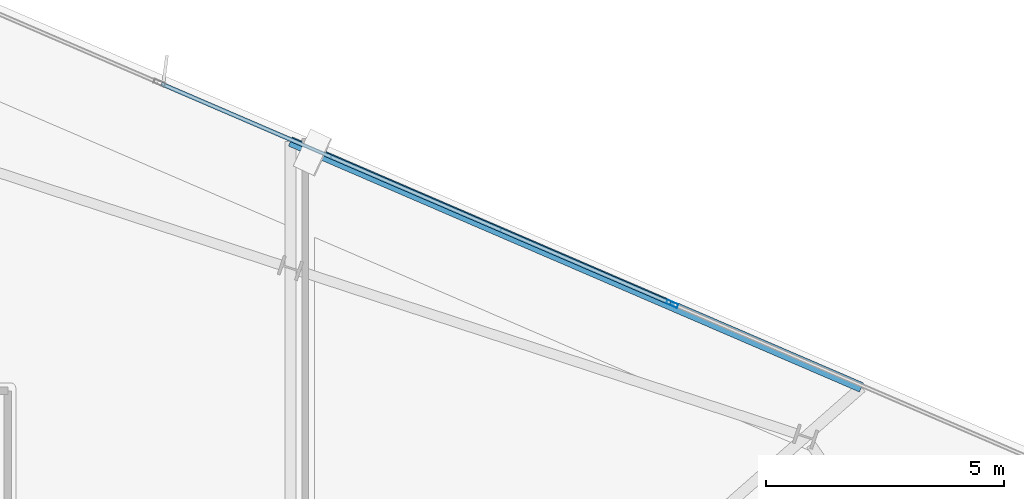
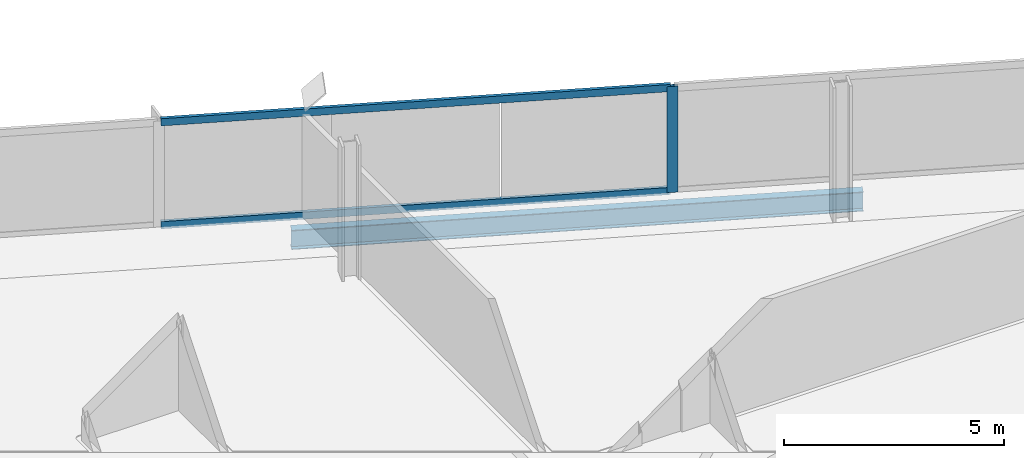
# One storey, part 18 of 28: 3 members, 1 beam, 1 element without a shape of its own.
"""IFC4 building model written with IfcOpenShell, lengths in metres."""

from ifc_helpers import new_model, si_unit, direction, frame, origin, origin_2d, place, context, subcontext, project, spatial, hollow_rectangle, i_section, extrude, material, material_profile, profile_set, type_object, element, aggregate, save


model = new_model("IFC4")

# Units and contexts
model_context = context("Model", 3, precision=1e-05, world=origin(), true_north=direction((0.0, 1.0)))
body_context = subcontext(model_context, "Body", "Model", "MODEL_VIEW")
ifc_project = project(units=[si_unit("LENGTHUNIT", "METRE"), si_unit("AREAUNIT", "SQUARE_METRE"), si_unit("VOLUMEUNIT", "CUBIC_METRE"), si_unit("PLANEANGLEUNIT", "RADIAN"), si_unit("MASSUNIT", "GRAM", prefix="KILO")], contexts=[model_context])

# Site, building, storey
site_placement = place(None, origin())
site = spatial("IfcSite", under=ifc_project, at=site_placement, CompositionType="ELEMENT")
building_placement = place(site_placement, origin())
building = spatial("IfcBuilding", under=site, at=building_placement, Name="Haldenkirk Collegiate Tower", CompositionType="ELEMENT")
storey_placement = place(building_placement, frame((0.0, 0.0, 252.449951171875)))
storey = spatial("IfcBuildingStorey", under=building, at=storey_placement, Name="L63", CompositionType="ELEMENT", Elevation=252.449951171875)

# Beam
ifc_material_1 = material(Name="Steel ASTM A992 Grade 50", Category="steel")
ifc_material_profile_1 = material_profile(ifc_material_1, i_section(OverallWidth=0.2099609375, OverallDepth=0.537109375, WebThickness=0.010986328125, FlangeThickness=0.017333984375, at=origin_2d()), Name="W21X68")
ifc_profile_set_1 = profile_set([ifc_material_profile_1], Name="Steel ASTM A992 Grade 50")
beam_type = type_object("IfcBeamType", Name="BM-SPANDREL-W21X68", PredefinedType="SPANDREL", material=ifc_profile_set_1)
beam_placement = place(storey_placement, frame((55.1943359375, 42.971923828125, -0.538330078125), z_axis=(-0.918446025146, 0.395546329642, 0.0), x_axis=(-0.395546329642, -0.918446025146, 0.0)))
element("IfcBeam", 1, at=beam_placement, inside=storey, type_object=beam_type, Name="L63 outer facade edge beam 2", PredefinedType="SPANDREL", context=body_context, shape_type="SweptSolid", body=[
    extrude(i_section(OverallWidth=0.2099609375, OverallDepth=0.537109375, WebThickness=0.010986328125, FlangeThickness=0.017333984375, at=origin_2d()), origin(), (0.0, 0.0, 1.0), 13.0703125),
])

# Curtain wall, members
ifc_material_2 = material(Name="Anodised architectural bronze aluminium", Category="aluminium")
curtain_wall_type = type_object("IfcCurtainWallType", Name="CW-SYS1B-CONVEX-HI", PredefinedType="USERDEFINED", material=ifc_material_2)
curtain_wall_placement = place(storey_placement, origin())
curtain_wall = element("IfcCurtainWall", 2, at=curtain_wall_placement, inside=storey, type_object=curtain_wall_type, Name="L63 Upper tower high-wind convex bronze unitised curtain wall", ObjectType="UNITISED CURTAIN WALL", PredefinedType="USERDEFINED")
ifc_material_profile_2 = material_profile(ifc_material_2, hollow_rectangle(XDim=0.0849609375, YDim=0.25, WallThickness=0.0048828125, at=origin_2d()), Name="CW-MUL-1B")
ifc_profile_set_2 = profile_set([ifc_material_profile_2], Name="Anodised architectural bronze aluminium")
member_type_1 = type_object("IfcMemberType", Name="CW-MUL-1B", PredefinedType="MULLION", material=ifc_profile_set_2)
member_1_placement = place(storey_placement, frame((51.215576171875, 44.72900390625, 0.0), z_axis=(0.0, 0.0, 1.0), x_axis=(0.395545592347, 0.918446342676, 0.0)))
member_1 = element("IfcMember", 3, at=member_1_placement, type_object=member_type_1, Name="CW-1B mullion 3", PredefinedType="MULLION", context=body_context, shape_type="SweptSolid", body=[
    extrude(hollow_rectangle(XDim=0.0849609375, YDim=0.25, WallThickness=0.0048828125, at=origin_2d()), origin(), (0.0, 0.0, 1.0), 2.93798828125),
])
ifc_material_profile_3 = material_profile(ifc_material_2, hollow_rectangle(XDim=0.0849609375, YDim=0.199951171875, WallThickness=0.0048828125, at=origin_2d()), Name="CW-TRN-1B")
ifc_profile_set_3 = profile_set([ifc_material_profile_3], Name="Anodised architectural bronze aluminium")
member_type_2 = type_object("IfcMemberType", Name="CW-TRN-1B", PredefinedType="USERDEFINED", material=ifc_profile_set_3)
member_2_placement = place(storey_placement, frame((40.478271484375, 49.353271484375, 0.04248046875), z_axis=(0.918445418104, -0.395547739171, 0.0), x_axis=(0.395547739171, 0.918445418104, 0.0)))
member_2 = element("IfcMember", 4, at=member_2_placement, type_object=member_type_2, Name="CW-1B transom 2.1", ObjectType="TRANSOM", PredefinedType="USERDEFINED", context=body_context, shape_type="SweptSolid", body=[
    extrude(hollow_rectangle(XDim=0.0849609375, YDim=0.199951171875, WallThickness=0.0048828125, at=origin_2d()), origin(), (0.0, 0.0, 1.0), 11.648193359375),
])
member_3_placement = place(storey_placement, frame((40.478271484375, 49.353271484375, 2.8955078125), z_axis=(0.918445418104, -0.395547739171, 0.0), x_axis=(0.395547739171, 0.918445418104, 0.0)))
member_3 = element("IfcMember", 5, at=member_3_placement, type_object=member_type_2, Name="CW-1B transom 2.2", ObjectType="TRANSOM", PredefinedType="USERDEFINED", context=body_context, shape_type="SweptSolid", body=[
    extrude(hollow_rectangle(XDim=0.0849609375, YDim=0.199951171875, WallThickness=0.0048828125, at=origin_2d()), origin(), (0.0, 0.0, 1.0), 11.648193359375),
])
aggregate(curtain_wall, [member_1, member_2, member_3])

save(model, "model.ifc")
